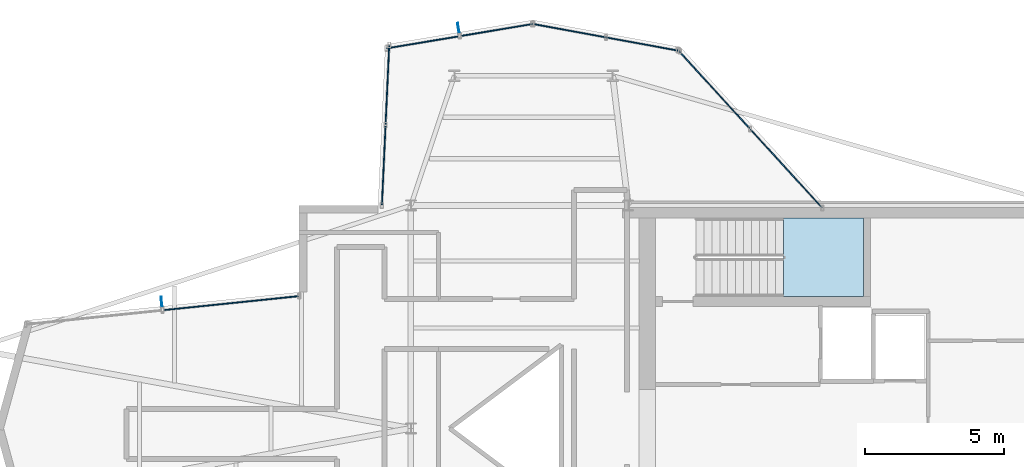
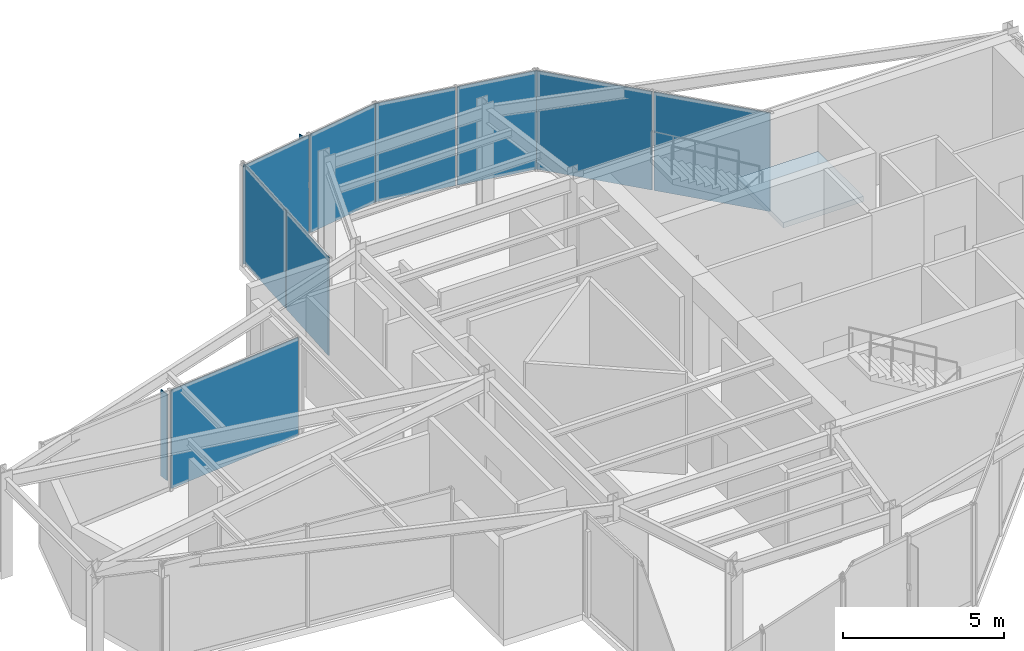
# One storey, part 10 of 14: 11 plates, 1 slab, 6 elements without a shape of their own.
"""IFC4 building model written with IfcOpenShell, lengths in metres."""

from ifc_helpers import new_model, si_unit, direction, frame, origin, origin_2d, place, context, subcontext, project, spatial, polyline, rectangle, outline, extrude, material, layer, layer_set, type_object, element, aggregate, save


model = new_model("IFC4")

# Units and contexts
model_context = context("Model", 3, precision=1e-05, world=origin(), true_north=direction((0.0, 1.0)))
body_context = subcontext(model_context, "Body", "Model", "MODEL_VIEW")
ifc_project = project(units=[si_unit("LENGTHUNIT", "METRE"), si_unit("AREAUNIT", "SQUARE_METRE"), si_unit("VOLUMEUNIT", "CUBIC_METRE"), si_unit("PLANEANGLEUNIT", "RADIAN"), si_unit("MASSUNIT", "GRAM", prefix="KILO")], contexts=[model_context])

# Site, building, storey
site_placement = place(None, origin())
site = spatial("IfcSite", under=ifc_project, at=site_placement, CompositionType="ELEMENT")
building_placement = place(site_placement, origin())
building = spatial("IfcBuilding", under=site, at=building_placement, Name="Veymaron Broadcast Tower", CompositionType="ELEMENT")
storey_placement = place(building_placement, frame((0.0, 0.0, 283.050048828125)))
storey = spatial("IfcBuildingStorey", under=building, at=storey_placement, Name="L66", CompositionType="ELEMENT", Elevation=283.050048828125)

# Curtain wall, plates
ifc_material_1 = material(Name="Anodised aluminium AA 6063-T6 and laminated low-E dark glass", Category="aluminium")
ifc_layer_1 = layer(ifc_material_1, 0.179931640625)
ifc_layer_set_1 = layer_set([ifc_layer_1], Name="Anodised aluminium AA 6063-T6 and laminated low-E dark glass")
curtain_wall_type = type_object("IfcCurtainWallType", Name="CW-SYS-06", PredefinedType="NOTDEFINED", material=ifc_layer_set_1)
curtain_wall_1_placement = place(storey_placement, origin())
curtain_wall_1 = element("IfcCurtainWall", 1, at=curtain_wall_1_placement, inside=storey, type_object=curtain_wall_type, Name="L66 dark-glass curtain wall CW-L66-E5-1", PredefinedType="NOTDEFINED")
ifc_material_2 = material(Name="Insulated dark-anodised aluminium spandrel panel 40 mm", Category="aluminium")
ifc_layer_2 = layer(ifc_material_2, 0.0400390625)
ifc_layer_set_2 = layer_set([ifc_layer_2], Name="Insulated dark-anodised aluminium spandrel panel 40 mm")
plate_type_1 = type_object("IfcPlateType", Name="CW-PNL-03", PredefinedType="CURTAIN_PANEL", material=ifc_layer_set_2)
plate_1_placement = place(storey_placement, frame((44.667724609375, 33.32568359375, 0.0400390625), z_axis=(0.0, 0.0, 1.0), x_axis=(-0.674585884365, 0.738196372665, 0.0)))
plate_1 = element("IfcPlate", 2, at=plate_1_placement, type_object=plate_type_1, Name="CW-L66-E5-1 unitised curtain panel 0", PredefinedType="CURTAIN_PANEL", context=body_context, shape_type="SweptSolid", body=[
    extrude(rectangle(XDim=3.787841796875, YDim=0.0400390625, at=origin_2d()), origin(), (0.0, 0.0, 1.0), 3.72998046875),
])
plate_2_placement = place(storey_placement, frame((42.072021484375, 36.166259765625, 0.0400390625), z_axis=(0.0, 0.0, 1.0), x_axis=(-0.674585884365, 0.738196372665, 0.0)))
plate_2 = element("IfcPlate", 3, at=plate_2_placement, type_object=plate_type_1, Name="CW-L66-E5-1 unitised curtain panel 1", PredefinedType="CURTAIN_PANEL", context=body_context, shape_type="SweptSolid", body=[
    extrude(rectangle(XDim=3.787841796875, YDim=0.0400390625, at=origin_2d()), origin(), (0.0, 0.0, 1.0), 3.72998046875),
])
aggregate(curtain_wall_1, [plate_1, plate_2])

curtain_wall_2_placement = place(storey_placement, origin())
curtain_wall_2 = element("IfcCurtainWall", 4, at=curtain_wall_2_placement, inside=storey, type_object=curtain_wall_type, Name="L66 dark-glass curtain wall CW-L66-E6-1", PredefinedType="NOTDEFINED")
plate_3_placement = place(storey_placement, frame((39.5283203125, 37.7861328125, 0.0400390625), z_axis=(0.0, 0.0, 1.0), x_axis=(-0.983562017505, 0.180570644685, 0.0)))
plate_3 = element("IfcPlate", 5, at=plate_3_placement, type_object=plate_type_1, Name="CW-L66-E6-1 unitised curtain panel 0", PredefinedType="CURTAIN_PANEL", context=body_context, shape_type="SweptSolid", body=[
    extrude(rectangle(XDim=2.632568359375, YDim=0.0400390625, at=origin_2d()), origin(), (0.0, 0.0, 1.0), 3.72998046875),
])
plate_4_placement = place(storey_placement, frame((36.8798828125, 38.2724609375, 0.0400390625), z_axis=(0.0, 0.0, 1.0), x_axis=(-0.983562017505, 0.180570644685, 0.0)))
plate_4 = element("IfcPlate", 6, at=plate_4_placement, type_object=plate_type_1, Name="CW-L66-E6-1 unitised curtain panel 1", PredefinedType="CURTAIN_PANEL", context=body_context, shape_type="SweptSolid", body=[
    extrude(rectangle(XDim=2.632568359375, YDim=0.0400390625, at=origin_2d()), origin(), (0.0, 0.0, 1.0), 3.72998046875),
])
aggregate(curtain_wall_2, [plate_3, plate_4])

curtain_wall_3_placement = place(storey_placement, origin())
curtain_wall_3 = element("IfcCurtainWall", 7, at=curtain_wall_3_placement, inside=storey, type_object=curtain_wall_type, Name="L66 dark-glass curtain wall CW-L66-E7-1", PredefinedType="NOTDEFINED")
plate_5_placement = place(storey_placement, frame((34.280029296875, 38.294189453125, 0.0400390625), z_axis=(0.0, 0.0, 1.0), x_axis=(-0.986354649988, -0.164634457046, 0.0)))
plate_5 = element("IfcPlate", 8, at=plate_5_placement, type_object=plate_type_1, Name="CW-L66-E7-1 unitised curtain panel 0", PredefinedType="CURTAIN_PANEL", context=body_context, shape_type="SweptSolid", body=[
    extrude(rectangle(XDim=2.624755859375, YDim=0.0400390625, at=origin_2d()), origin(), (0.0, 0.0, 1.0), 3.72998046875),
])
plate_6_placement = place(storey_placement, frame((31.6318359375, 37.85205078125, 0.0400390625), z_axis=(0.0, 0.0, 1.0), x_axis=(-0.986354649988, -0.164634457046, 0.0)))
plate_6 = element("IfcPlate", 9, at=plate_6_placement, type_object=plate_type_1, Name="CW-L66-E7-1 unitised curtain panel 1", PredefinedType="CURTAIN_PANEL", context=body_context, shape_type="SweptSolid", body=[
    extrude(rectangle(XDim=2.624755859375, YDim=0.0400390625, at=origin_2d()), origin(), (0.0, 0.0, 1.0), 3.72998046875),
])
aggregate(curtain_wall_3, [plate_5, plate_6])

curtain_wall_4_placement = place(storey_placement, origin())
curtain_wall_4 = element("IfcCurtainWall", 10, at=curtain_wall_4_placement, inside=storey, type_object=curtain_wall_type, Name="L66 dark-glass curtain wall CW-L66-E8-1", PredefinedType="NOTDEFINED")
plate_7_placement = place(storey_placement, frame((30.35888671875, 36.320556640625, 0.0400390625), z_axis=(0.0, 0.0, 1.0), x_axis=(-0.045502470291, -0.998964226185, 0.0)))
plate_7 = element("IfcPlate", 11, at=plate_7_placement, type_object=plate_type_1, Name="CW-L66-E8-1 unitised curtain panel 0", PredefinedType="CURTAIN_PANEL", context=body_context, shape_type="SweptSolid", body=[
    extrude(rectangle(XDim=2.82763671875, YDim=0.0400390625, at=origin_2d()), origin(), (0.0, 0.0, 1.0), 3.72998046875),
])
plate_8_placement = place(storey_placement, frame((30.2275390625, 33.435791015625, 0.0400390625), z_axis=(0.0, 0.0, 1.0), x_axis=(-0.045502470291, -0.998964226185, 0.0)))
plate_8 = element("IfcPlate", 12, at=plate_8_placement, type_object=plate_type_1, Name="CW-L66-E8-1 unitised curtain panel 1", PredefinedType="CURTAIN_PANEL", context=body_context, shape_type="SweptSolid", body=[
    extrude(rectangle(XDim=2.82763671875, YDim=0.0400390625, at=origin_2d()), origin(), (0.0, 0.0, 1.0), 3.72998046875),
])
aggregate(curtain_wall_4, [plate_7, plate_8])

# Curtain wall, plate
curtain_wall_5_placement = place(storey_placement, origin())
curtain_wall_5 = element("IfcCurtainWall", 13, at=curtain_wall_5_placement, inside=storey, type_object=curtain_wall_type, Name="L66 dark-glass curtain wall CW-L66-E11-1", PredefinedType="NOTDEFINED")
plate_9_placement = place(storey_placement, frame((24.74365234375, 28.492919921875, 0.0400390625), z_axis=(0.0, 0.0, 1.0), x_axis=(-0.994701022897, -0.102809897611, 0.0)))
plate_9 = element("IfcPlate", 14, at=plate_9_placement, type_object=plate_type_1, Name="CW-L66-E11-1 unitised curtain panel 0", PredefinedType="CURTAIN_PANEL", context=body_context, shape_type="SweptSolid", body=[
    extrude(rectangle(XDim=4.87890625, YDim=0.0400390625, at=origin_2d()), origin(), (0.0, 0.0, 1.0), 3.72998046875),
])
aggregate(curtain_wall_5, [plate_9])

# Plates
ifc_material_3 = material(Name="Dark-anodised aluminium AA 6061-T6", Category="aluminium")
ifc_layer_3 = layer(ifc_material_3, 0.030029296875)
ifc_layer_set_3 = layer_set([ifc_layer_3], Name="Dark-anodised aluminium AA 6061-T6")
plate_type_2 = type_object("IfcPlateType", Name="FIN-CHEV-02", PredefinedType="USERDEFINED", material=ifc_layer_set_3)
for number, where, z_axis, x_axis, name in (
    (15, (32.90576171875, 38.373779296875, 0.2666015625), (0.0, 0.0, 1.0), (-0.164634457046, 0.986354649988, 0.0), "CW-L66-E7-1 chevron fin 1"),
    (16, (22.255859375, 28.54248046875, 0.2666015625), (0.0, 0.0, 1.0), (-0.102809897611, 0.994701022897, 0.0), "CW-L66-E11-1 chevron fin 1"),
):
    element("IfcPlate", number, at=place(storey_placement, frame(where, z_axis=z_axis, x_axis=x_axis)), inside=storey, type_object=plate_type_2, Name=name, ObjectType="FIN", PredefinedType="USERDEFINED", context=body_context, shape_type="SweptSolid", body=[
        extrude(rectangle(XDim=0.35009765625, YDim=0.034912109375, at=origin_2d()), origin(), (0.0, 0.0, 1.0), 3.276611328125),
    ])

# Stair, slab
ifc_material_4 = material(Name="Concrete C50/60", Category="concrete")
stair_type = type_object("IfcStairType", Name="STAIR-CORE-1", PredefinedType="HALF_TURN_STAIR", material=ifc_material_4)
stair_placement = place(storey_placement, origin())
stair = element("IfcStair", 17, at=stair_placement, inside=storey, type_object=stair_type, Name="L66 North protected dog-leg exit stair ST1", PredefinedType="HALF_TURN_STAIR")
ifc_layer_4 = layer(ifc_material_4, 0.199951171875)
ifc_layer_set_4 = layer_set([ifc_layer_4], Name="Concrete C50/60")
slab_type = type_object("IfcSlabType", Name="SLAB-STAIR-LDG", PredefinedType="LANDING", material=ifc_layer_set_4)
slab_placement = place(storey_placement, frame((0.0, 0.0, 1.824951171875)))
slab = element("IfcSlab", 18, at=slab_placement, type_object=slab_type, Name="ST1 landing 1", PredefinedType="LANDING", context=body_context, shape_type="SweptSolid", body=[
    extrude(outline(polyline([(44.56494140625, 28.72998046875), (47.43994140625, 28.72998046875), (47.43994140625, 31.550048828125), (44.56494140625, 31.550048828125), (44.56494140625, 28.72998046875)])), origin(), (0.0, 0.0, 1.0), 0.199951171875),
])
aggregate(stair, [slab])

save(model, "model.ifc")
